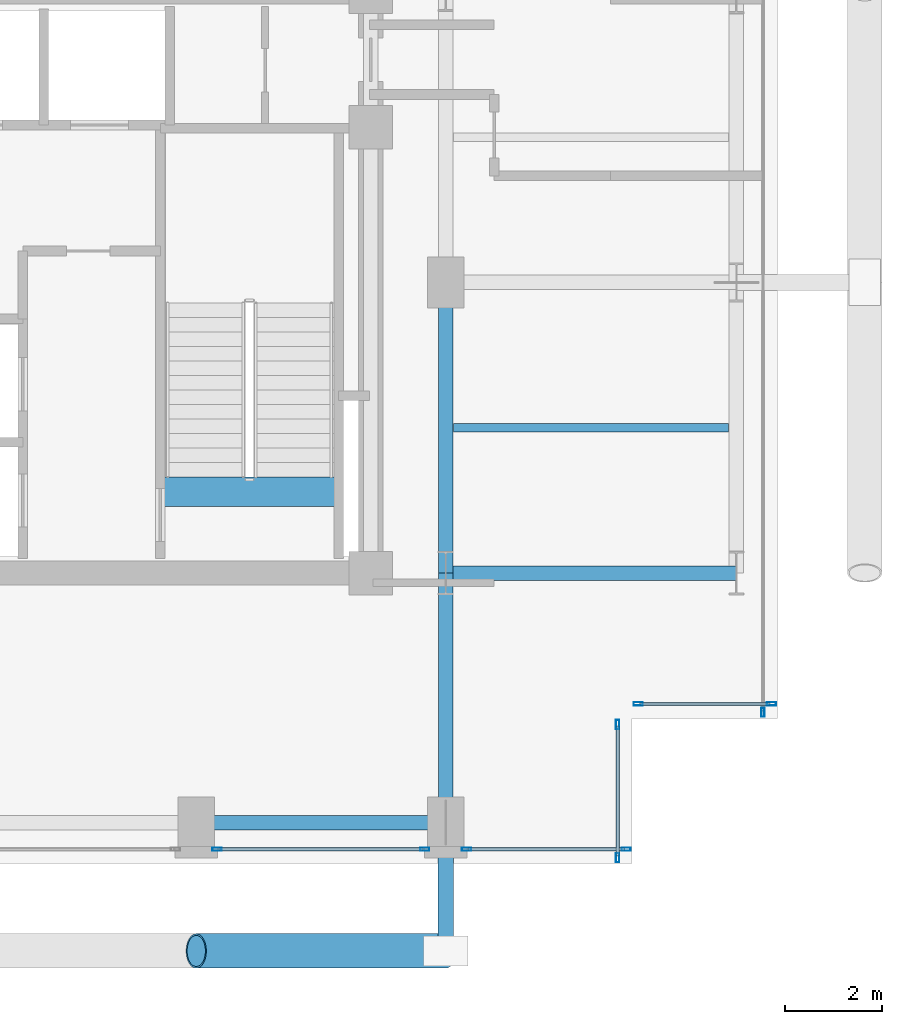
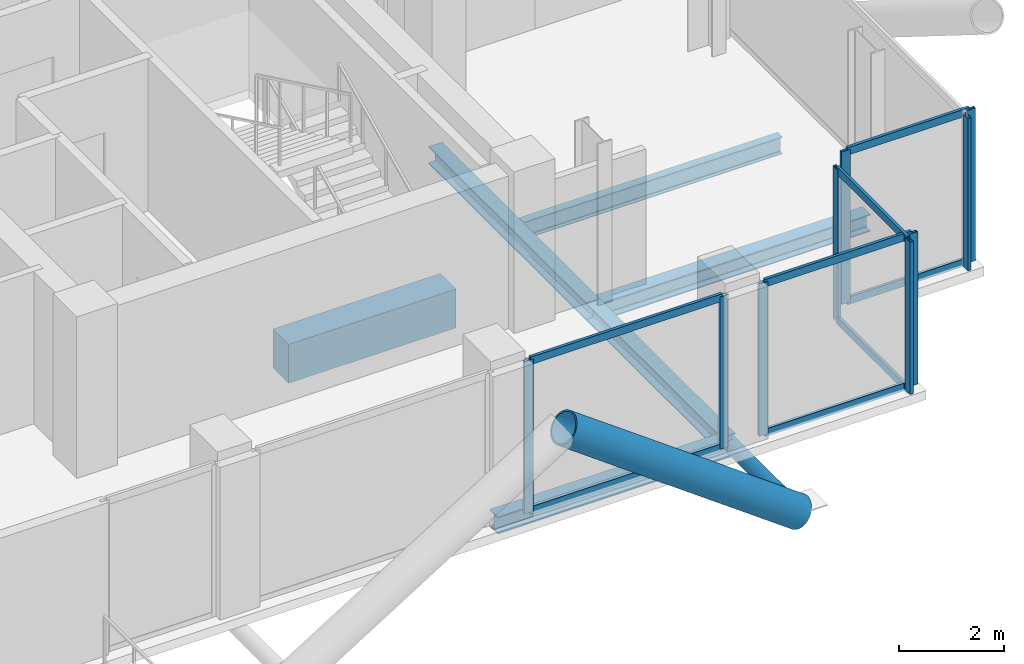
# One storey, part 10 of 21: 19 members, 6 beams, 5 elements without a shape of their own.
"""IFC4 building model written with IfcOpenShell, lengths in metres."""

from ifc_helpers import new_model, si_unit, direction, frame, origin, origin_2d, place, context, subcontext, project, spatial, rectangle, hollow_rectangle, hollow_circle, i_section, extrude, material, layer, layer_set, material_profile, profile_set, type_object, element, aggregate, save


model = new_model("IFC4")

# Units and contexts
model_context = context("Model", 3, precision=1e-05, world=origin(), true_north=direction((0.0, 1.0)))
body_context = subcontext(model_context, "Body", "Model", "MODEL_VIEW")
ifc_project = project(units=[si_unit("LENGTHUNIT", "METRE"), si_unit("AREAUNIT", "SQUARE_METRE"), si_unit("VOLUMEUNIT", "CUBIC_METRE"), si_unit("PLANEANGLEUNIT", "RADIAN"), si_unit("MASSUNIT", "GRAM", prefix="KILO"), si_unit("THERMODYNAMICTEMPERATUREUNIT", "KELVIN"), si_unit("POWERUNIT", "WATT")], contexts=[model_context])

# Site, building, storey
site_placement = place(None, origin())
site = spatial("IfcSite", under=ifc_project, at=site_placement, CompositionType="ELEMENT")
building_placement = place(site_placement, origin())
building = spatial("IfcBuilding", under=site, at=building_placement, Name="Svarakhadi Broadcast Tower", CompositionType="ELEMENT")
storey_placement = place(building_placement, frame((0.0, 0.0, 223.64990234375)))
storey = spatial("IfcBuildingStorey", under=building, at=storey_placement, Name="L55", CompositionType="ELEMENT", Elevation=223.64990234375)

# Beam
ifc_material_1 = material(Name="Steel S355J2 (IS 2062 E350C)", Category="steel")
ifc_material_profile_1 = material_profile(ifc_material_1, i_section(OverallWidth=0.179931640625, OverallDepth=0.39990234375, WebThickness=0.008544921875, FlangeThickness=0.013427734375, FilletRadius=0.02099609375, at=origin_2d()), Name="NPB 400x180x66")
ifc_profile_set_1 = profile_set([ifc_material_profile_1], Name="Steel S355J2 (IS 2062 E350C)")
beam_type_1 = type_object("IfcBeamType", Name="Beam_NPB400", PredefinedType="BEAM", material=ifc_profile_set_1)
beam_1_placement = place(storey_placement, frame((35.31005859375, 9.0, -0.409912109375), z_axis=(1.0, 0.0, 0.0), x_axis=(0.0, 1.0, 0.0)))
element("IfcBeam", 1, at=beam_1_placement, inside=storey, type_object=beam_type_1, Name="L55 Secondary Composite Beam SB016", PredefinedType="BEAM", context=body_context, shape_type="SweptSolid", body=[
    extrude(i_section(OverallWidth=0.179931640625, OverallDepth=0.39990234375, WebThickness=0.008544921875, FlangeThickness=0.013427734375, FilletRadius=0.02099609375, at=origin_2d()), origin(), (0.0, 0.0, 1.0), 5.679931640625),
])

# Curtain wall, member
ifc_material_2 = material(Name="Anodised Bronze Aluminium AA 6063-T6", Category="aluminium")
ifc_layer = layer(ifc_material_2, 0.18994140625)
ifc_layer_set = layer_set([ifc_layer], Name="Anodised Bronze Aluminium AA 6063-T6")
curtain_wall_type = type_object("IfcCurtainWallType", Name="CW_Sys_04", PredefinedType="NOTDEFINED", material=ifc_layer_set)
curtain_wall_1_placement = place(storey_placement, origin())
curtain_wall_1 = element("IfcCurtainWall", 2, at=curtain_wall_1_placement, inside=storey, type_object=curtain_wall_type, Name="L55 Unitised Facade Curtain Wall 13", PredefinedType="NOTDEFINED")
ifc_material_profile_2 = material_profile(ifc_material_2, hollow_rectangle(XDim=0.070068359375, YDim=0.18994140625, WallThickness=0.005615234375, at=origin_2d()), Name="ALU MULLION 190x70x6")
ifc_profile_set_2 = profile_set([ifc_material_profile_2], Name="Anodised Bronze Aluminium AA 6063-T6")
member_type_1 = type_object("IfcMemberType", Name="CW_Sys_04_Mul", PredefinedType="MULLION", material=ifc_profile_set_2)
member_1_placement = place(storey_placement, frame((41.699951171875, 3.125, 0.0), z_axis=(0.0, 0.0, 1.0), x_axis=(1.0, 0.0, 0.0)))
member_1 = element("IfcMember", 3, at=member_1_placement, type_object=member_type_1, Name="CW-04 mullion 2", PredefinedType="MULLION", context=body_context, shape_type="SweptSolid", body=[
    extrude(hollow_rectangle(XDim=0.070068359375, YDim=0.18994140625, WallThickness=0.005615234375, at=origin_2d()), origin(), (0.0, 0.0, 1.0), 3.5400390625),
])
aggregate(curtain_wall_1, [member_1])

# Curtain wall, members
curtain_wall_2_placement = place(storey_placement, origin())
curtain_wall_2 = element("IfcCurtainWall", 4, at=curtain_wall_2_placement, inside=storey, type_object=curtain_wall_type, Name="L55 Unitised Facade Curtain Wall 14", PredefinedType="NOTDEFINED")
member_2_placement = place(storey_placement, frame((41.875, 3.300048828125, 0.0), z_axis=(0.0, 0.0, 1.0), x_axis=(0.0, -1.0, 0.0)))
member_2 = element("IfcMember", 5, at=member_2_placement, type_object=member_type_1, Name="CW-04 mullion 1", PredefinedType="MULLION", context=body_context, shape_type="SweptSolid", body=[
    extrude(hollow_rectangle(XDim=0.070068359375, YDim=0.18994140625, WallThickness=0.005615234375, at=origin_2d()), origin(), (0.0, 0.0, 1.0), 3.5400390625),
])
member_3_placement = place(storey_placement, frame((39.125, 3.300048828125, 0.0), z_axis=(0.0, 0.0, 1.0), x_axis=(0.0, -1.0, 0.0)))
member_3 = element("IfcMember", 6, at=member_3_placement, type_object=member_type_1, Name="CW-04 mullion 2", PredefinedType="MULLION", context=body_context, shape_type="SweptSolid", body=[
    extrude(hollow_rectangle(XDim=0.070068359375, YDim=0.18994140625, WallThickness=0.005615234375, at=origin_2d()), origin(), (0.0, 0.0, 1.0), 3.5400390625),
])

curtain_wall_3_placement = place(storey_placement, origin())
curtain_wall_3 = element("IfcCurtainWall", 7, at=curtain_wall_3_placement, inside=storey, type_object=curtain_wall_type, Name="L55 Unitised Facade Curtain Wall 15", PredefinedType="NOTDEFINED")
member_4_placement = place(storey_placement, frame((38.699951171875, 2.875, 0.0), z_axis=(0.0, 0.0, 1.0), x_axis=(1.0, 0.0, 0.0)))
member_4 = element("IfcMember", 8, at=member_4_placement, type_object=member_type_1, Name="CW-04 mullion 1", PredefinedType="MULLION", context=body_context, shape_type="SweptSolid", body=[
    extrude(hollow_rectangle(XDim=0.070068359375, YDim=0.18994140625, WallThickness=0.005615234375, at=origin_2d()), origin(), (0.0, 0.0, 1.0), 3.5400390625),
])
member_5_placement = place(storey_placement, frame((38.699951171875, 0.125, 0.0), z_axis=(0.0, 0.0, 1.0), x_axis=(1.0, 0.0, 0.0)))
member_5 = element("IfcMember", 9, at=member_5_placement, type_object=member_type_1, Name="CW-04 mullion 2", PredefinedType="MULLION", context=body_context, shape_type="SweptSolid", body=[
    extrude(hollow_rectangle(XDim=0.070068359375, YDim=0.18994140625, WallThickness=0.005615234375, at=origin_2d()), origin(), (0.0, 0.0, 1.0), 3.5400390625),
])

curtain_wall_4_placement = place(storey_placement, origin())
curtain_wall_4 = element("IfcCurtainWall", 10, at=curtain_wall_4_placement, inside=storey, type_object=curtain_wall_type, Name="L55 South Curtain Wall 16 Bay 1", PredefinedType="NOTDEFINED")
member_6_placement = place(storey_placement, frame((38.875, 0.300048828125, 0.0), z_axis=(0.0, 0.0, 1.0), x_axis=(0.0, -1.0, 0.0)))
member_6 = element("IfcMember", 11, at=member_6_placement, type_object=member_type_1, Name="CW-04 mullion 1", PredefinedType="MULLION", context=body_context, shape_type="SweptSolid", body=[
    extrude(hollow_rectangle(XDim=0.070068359375, YDim=0.18994140625, WallThickness=0.005615234375, at=origin_2d()), origin(), (0.0, 0.0, 1.0), 3.5400390625),
])
member_7_placement = place(storey_placement, frame((35.580078125, 0.300048828125, 0.0), z_axis=(0.0, 0.0, 1.0), x_axis=(0.0, -1.0, 0.0)))
member_7 = element("IfcMember", 12, at=member_7_placement, type_object=member_type_1, Name="CW-04 mullion 2", PredefinedType="MULLION", context=body_context, shape_type="SweptSolid", body=[
    extrude(hollow_rectangle(XDim=0.070068359375, YDim=0.18994140625, WallThickness=0.005615234375, at=origin_2d()), origin(), (0.0, 0.0, 1.0), 3.5400390625),
])

curtain_wall_5_placement = place(storey_placement, origin())
curtain_wall_5 = element("IfcCurtainWall", 13, at=curtain_wall_5_placement, inside=storey, type_object=curtain_wall_type, Name="L55 South Curtain Wall 16 Bay 2", PredefinedType="NOTDEFINED")
member_8_placement = place(storey_placement, frame((34.719970703125, 0.300048828125, 0.0), z_axis=(0.0, 0.0, 1.0), x_axis=(0.0, -1.0, 0.0)))
member_8 = element("IfcMember", 14, at=member_8_placement, type_object=member_type_1, Name="CW-04 mullion 1", PredefinedType="MULLION", context=body_context, shape_type="SweptSolid", body=[
    extrude(hollow_rectangle(XDim=0.070068359375, YDim=0.18994140625, WallThickness=0.005615234375, at=origin_2d()), origin(), (0.0, 0.0, 1.0), 3.5400390625),
])
member_9_placement = place(storey_placement, frame((30.429931640625, 0.300048828125, 0.0), z_axis=(0.0, 0.0, 1.0), x_axis=(0.0, -1.0, 0.0)))
member_9 = element("IfcMember", 15, at=member_9_placement, type_object=member_type_1, Name="CW-04 mullion 2", PredefinedType="MULLION", context=body_context, shape_type="SweptSolid", body=[
    extrude(hollow_rectangle(XDim=0.070068359375, YDim=0.18994140625, WallThickness=0.005615234375, at=origin_2d()), origin(), (0.0, 0.0, 1.0), 3.5400390625),
])

# Member
ifc_material_profile_3 = material_profile(ifc_material_2, hollow_rectangle(XDim=0.06494140625, YDim=0.175048828125, WallThickness=0.0048828125, at=origin_2d()), Name="ALU TRANSOM 175x65x5")
ifc_profile_set_3 = profile_set([ifc_material_profile_3], Name="Anodised Bronze Aluminium AA 6063-T6")
member_type_2 = type_object("IfcMemberType", Name="CW_Sys_04_Trn", PredefinedType="USERDEFINED", material=ifc_profile_set_3)
member_10_placement = place(storey_placement, frame((41.840087890625, 3.300048828125, 0.03271484375), z_axis=(-1.0, 0.0, 0.0), x_axis=(0.0, -1.0, 0.0)))
member_10 = element("IfcMember", 16, at=member_10_placement, type_object=member_type_2, Name="CW-04 transom 1.1", ObjectType="TRANSOM", PredefinedType="USERDEFINED", context=body_context, shape_type="SweptSolid", body=[
    extrude(hollow_rectangle(XDim=0.06494140625, YDim=0.175048828125, WallThickness=0.0048828125, at=origin_2d()), origin(), (0.0, 0.0, 1.0), 2.68017578125),
])

member_11_placement = place(storey_placement, frame((41.840087890625, 3.300048828125, 3.507568359375), z_axis=(-1.0, 0.0, 0.0), x_axis=(0.0, -1.0, 0.0)))
member_11 = element("IfcMember", 17, at=member_11_placement, type_object=member_type_2, Name="CW-04 transom 1.2", ObjectType="TRANSOM", PredefinedType="USERDEFINED", context=body_context, shape_type="SweptSolid", body=[
    extrude(hollow_rectangle(XDim=0.06494140625, YDim=0.175048828125, WallThickness=0.0048828125, at=origin_2d()), origin(), (0.0, 0.0, 1.0), 2.68017578125),
])

aggregate(curtain_wall_2, [member_2, member_3, member_10, member_11])

member_12_placement = place(storey_placement, frame((38.699951171875, 2.840087890625, 0.03271484375), z_axis=(0.0, -1.0, 0.0), x_axis=(1.0, 0.0, 0.0)))
member_12 = element("IfcMember", 18, at=member_12_placement, type_object=member_type_2, Name="CW-04 transom 1.1", ObjectType="TRANSOM", PredefinedType="USERDEFINED", context=body_context, shape_type="SweptSolid", body=[
    extrude(hollow_rectangle(XDim=0.06494140625, YDim=0.175048828125, WallThickness=0.0048828125, at=origin_2d()), origin(), (0.0, 0.0, 1.0), 2.68017578125),
])

member_13_placement = place(storey_placement, frame((38.699951171875, 2.840087890625, 3.507568359375), z_axis=(0.0, -1.0, 0.0), x_axis=(1.0, 0.0, 0.0)))
member_13 = element("IfcMember", 19, at=member_13_placement, type_object=member_type_2, Name="CW-04 transom 1.2", ObjectType="TRANSOM", PredefinedType="USERDEFINED", context=body_context, shape_type="SweptSolid", body=[
    extrude(hollow_rectangle(XDim=0.06494140625, YDim=0.175048828125, WallThickness=0.0048828125, at=origin_2d()), origin(), (0.0, 0.0, 1.0), 2.68017578125),
])

aggregate(curtain_wall_3, [member_4, member_5, member_12, member_13])

member_14_placement = place(storey_placement, frame((38.840087890625, 0.300048828125, 0.03271484375), z_axis=(-1.0, 0.0, 0.0), x_axis=(0.0, -1.0, 0.0)))
member_14 = element("IfcMember", 20, at=member_14_placement, type_object=member_type_2, Name="CW-04 transom 1.1", ObjectType="TRANSOM", PredefinedType="USERDEFINED", context=body_context, shape_type="SweptSolid", body=[
    extrude(hollow_rectangle(XDim=0.06494140625, YDim=0.175048828125, WallThickness=0.0048828125, at=origin_2d()), origin(), (0.0, 0.0, 1.0), 3.22509765625),
])

member_15_placement = place(storey_placement, frame((38.840087890625, 0.300048828125, 3.507568359375), z_axis=(-1.0, 0.0, 0.0), x_axis=(0.0, -1.0, 0.0)))
member_15 = element("IfcMember", 21, at=member_15_placement, type_object=member_type_2, Name="CW-04 transom 1.2", ObjectType="TRANSOM", PredefinedType="USERDEFINED", context=body_context, shape_type="SweptSolid", body=[
    extrude(hollow_rectangle(XDim=0.06494140625, YDim=0.175048828125, WallThickness=0.0048828125, at=origin_2d()), origin(), (0.0, 0.0, 1.0), 3.22509765625),
])

aggregate(curtain_wall_4, [member_6, member_7, member_14, member_15])

member_16_placement = place(storey_placement, frame((34.68505859375, 0.300048828125, 0.03271484375), z_axis=(-1.0, 0.0, 0.0), x_axis=(0.0, -1.0, 0.0)))
member_16 = element("IfcMember", 22, at=member_16_placement, type_object=member_type_2, Name="CW-04 transom 1.1", ObjectType="TRANSOM", PredefinedType="USERDEFINED", context=body_context, shape_type="SweptSolid", body=[
    extrude(hollow_rectangle(XDim=0.06494140625, YDim=0.175048828125, WallThickness=0.0048828125, at=origin_2d()), origin(), (0.0, 0.0, 1.0), 4.219970703125),
])

member_17_placement = place(storey_placement, frame((34.68505859375, 0.300048828125, 3.507568359375), z_axis=(-1.0, 0.0, 0.0), x_axis=(0.0, -1.0, 0.0)))
member_17 = element("IfcMember", 23, at=member_17_placement, type_object=member_type_2, Name="CW-04 transom 1.2", ObjectType="TRANSOM", PredefinedType="USERDEFINED", context=body_context, shape_type="SweptSolid", body=[
    extrude(hollow_rectangle(XDim=0.06494140625, YDim=0.175048828125, WallThickness=0.0048828125, at=origin_2d()), origin(), (0.0, 0.0, 1.0), 4.219970703125),
])

aggregate(curtain_wall_5, [member_8, member_9, member_16, member_17])

# Beam
ifc_material_3 = material(Name="Concrete C50/60 (IS 456 M60)", Category="concrete")
ifc_material_profile_4 = material_profile(ifc_material_3, rectangle(XDim=0.60009765625, YDim=0.89990234375, at=origin_2d()), Name="RC 600x900")
ifc_profile_set_4 = profile_set([ifc_material_profile_4], Name="Concrete C50/60 (IS 456 M60)")
beam_type_2 = type_object("IfcBeamType", Name="Coupling_RC600", PredefinedType="USERDEFINED", material=ifc_profile_set_4)
beam_2_placement = place(storey_placement, frame((29.260009765625, 7.679931640625, -0.449951171875), z_axis=(1.0, 0.0, 0.0), x_axis=(0.0, 1.0, 0.0)))
element("IfcBeam", 24, at=beam_2_placement, inside=storey, type_object=beam_type_2, Name="L55 Stair ST-02 Landing Throat Trimmer Beam CB-01", ObjectType="GIRDER", PredefinedType="USERDEFINED", context=body_context, shape_type="SweptSolid", body=[
    extrude(rectangle(XDim=0.60009765625, YDim=0.89990234375, at=origin_2d()), origin(), (0.0, 0.0, 1.0), 3.679931640625),
])

# Members
ifc_material_4 = material(Name="Steel S460ML (IS 2062 E450BR)", Category="steel")
ifc_material_profile_5 = material_profile(ifc_material_4, hollow_circle(Radius=0.35546875, WallThickness=0.034912109375, at=origin_2d()), Name="CHS 711x35")
ifc_profile_set_5 = profile_set([ifc_material_profile_5], Name="Steel S460ML (IS 2062 E450BR)")
member_type_3 = type_object("IfcMemberType", Name="Exo_Brace_CHS711", PredefinedType="BRACE", material=ifc_profile_set_5)
member_18_placement = place(storey_placement, frame((35.14990234375, -1.800048828125, -0.371826171875), z_axis=(-0.808391243061, 0.0, 0.588645562407), x_axis=(0.0, -1.0, 0.0)))
element("IfcMember", 25, at=member_18_placement, inside=storey, type_object=member_type_3, Name="L55 Exposed Bronze Exoskeleton Diagonal S02", PredefinedType="BRACE", context=body_context, shape_type="SweptSolid", body=[
    extrude(hollow_circle(Radius=0.35546875, WallThickness=0.034912109375, at=origin_2d()), origin(), (0.0, 0.0, 1.0), 6.37060546875),
])
ifc_material_profile_6 = material_profile(ifc_material_4, hollow_circle(Radius=0.161865234375, WallThickness=0.01611328125, at=origin_2d()), Name="CHS 323.9x16")
ifc_profile_set_6 = profile_set([ifc_material_profile_6], Name="Steel S460ML (IS 2062 E450BR)")
member_type_4 = type_object("IfcMemberType", Name="Exo_Radial_Strut_Z2", PredefinedType="STRUT", material=ifc_profile_set_6)
member_19_placement = place(storey_placement, frame((35.14990234375, -1.800048828125, -0.371826171875), z_axis=(0.0, 1.0, 0.0), x_axis=(-1.0, 0.0, 0.0)))
element("IfcMember", 26, at=member_19_placement, inside=storey, type_object=member_type_4, Name="L55 Exoskeleton Radial Tie Strut S02", PredefinedType="STRUT", context=body_context, shape_type="SweptSolid", body=[
    extrude(hollow_circle(Radius=0.161865234375, WallThickness=0.01611328125, at=origin_2d()), origin(), (0.0, 0.0, 1.0), 2.650146484375),
])

# Beams
ifc_material_profile_7 = material_profile(ifc_material_1, i_section(OverallWidth=0.300048828125, OverallDepth=0.39990234375, WebThickness=0.013427734375, FlangeThickness=0.02392578125, FilletRadius=0.027099609375, at=origin_2d()), Name="WPB 400x300x155")
ifc_profile_set_7 = profile_set([ifc_material_profile_7], Name="Steel S355J2 (IS 2062 E350C)")
beam_type_3 = type_object("IfcBeamType", Name="Girder_WPB400", PredefinedType="USERDEFINED", material=ifc_profile_set_7)
beam_3_placement = place(storey_placement, frame((30.0, 0.85009765625, -0.409912109375), z_axis=(1.0, 0.0, 0.0), x_axis=(0.0, 1.0, 0.0)))
element("IfcBeam", 27, at=beam_3_placement, inside=storey, type_object=beam_type_3, Name="L55 Primary E-W Girder G008", ObjectType="GIRDER", PredefinedType="USERDEFINED", context=body_context, shape_type="SweptSolid", body=[
    extrude(i_section(OverallWidth=0.300048828125, OverallDepth=0.39990234375, WebThickness=0.013427734375, FlangeThickness=0.02392578125, FilletRadius=0.027099609375, at=origin_2d()), origin(), (0.0, 0.0, 1.0), 5.14990234375),
])
beam_4_placement = place(storey_placement, frame((35.14990234375, 6.0, -0.409912109375), z_axis=(1.0, 0.0, 0.0), x_axis=(0.0, 1.0, 0.0)))
element("IfcBeam", 28, at=beam_4_placement, inside=storey, type_object=beam_type_3, Name="L55 Primary E-W Girder G014", ObjectType="GIRDER", PredefinedType="USERDEFINED", context=body_context, shape_type="SweptSolid", body=[
    extrude(i_section(OverallWidth=0.300048828125, OverallDepth=0.39990234375, WebThickness=0.013427734375, FlangeThickness=0.02392578125, FilletRadius=0.027099609375, at=origin_2d()), origin(), (0.0, 0.0, 1.0), 6.0),
])
beam_5_placement = place(storey_placement, frame((35.14990234375, 0.85009765625, -0.409912109375), z_axis=(0.0, 1.0, 0.0), x_axis=(-1.0, 0.0, 0.0)))
element("IfcBeam", 29, at=beam_5_placement, inside=storey, type_object=beam_type_3, Name="L55 Primary N-S Girder G056", ObjectType="GIRDER", PredefinedType="USERDEFINED", context=body_context, shape_type="SweptSolid", body=[
    extrude(i_section(OverallWidth=0.300048828125, OverallDepth=0.39990234375, WebThickness=0.013427734375, FlangeThickness=0.02392578125, FilletRadius=0.027099609375, at=origin_2d()), origin(), (0.0, 0.0, 1.0), 5.14990234375),
])
beam_6_placement = place(storey_placement, frame((35.14990234375, 6.0, -0.409912109375), z_axis=(0.0, 1.0, 0.0), x_axis=(-1.0, 0.0, 0.0)))
element("IfcBeam", 30, at=beam_6_placement, inside=storey, type_object=beam_type_3, Name="L55 Primary N-S Girder G057", ObjectType="GIRDER", PredefinedType="USERDEFINED", context=body_context, shape_type="SweptSolid", body=[
    extrude(i_section(OverallWidth=0.300048828125, OverallDepth=0.39990234375, WebThickness=0.013427734375, FlangeThickness=0.02392578125, FilletRadius=0.027099609375, at=origin_2d()), origin(), (0.0, 0.0, 1.0), 6.0),
])

save(model, "model.ifc")
